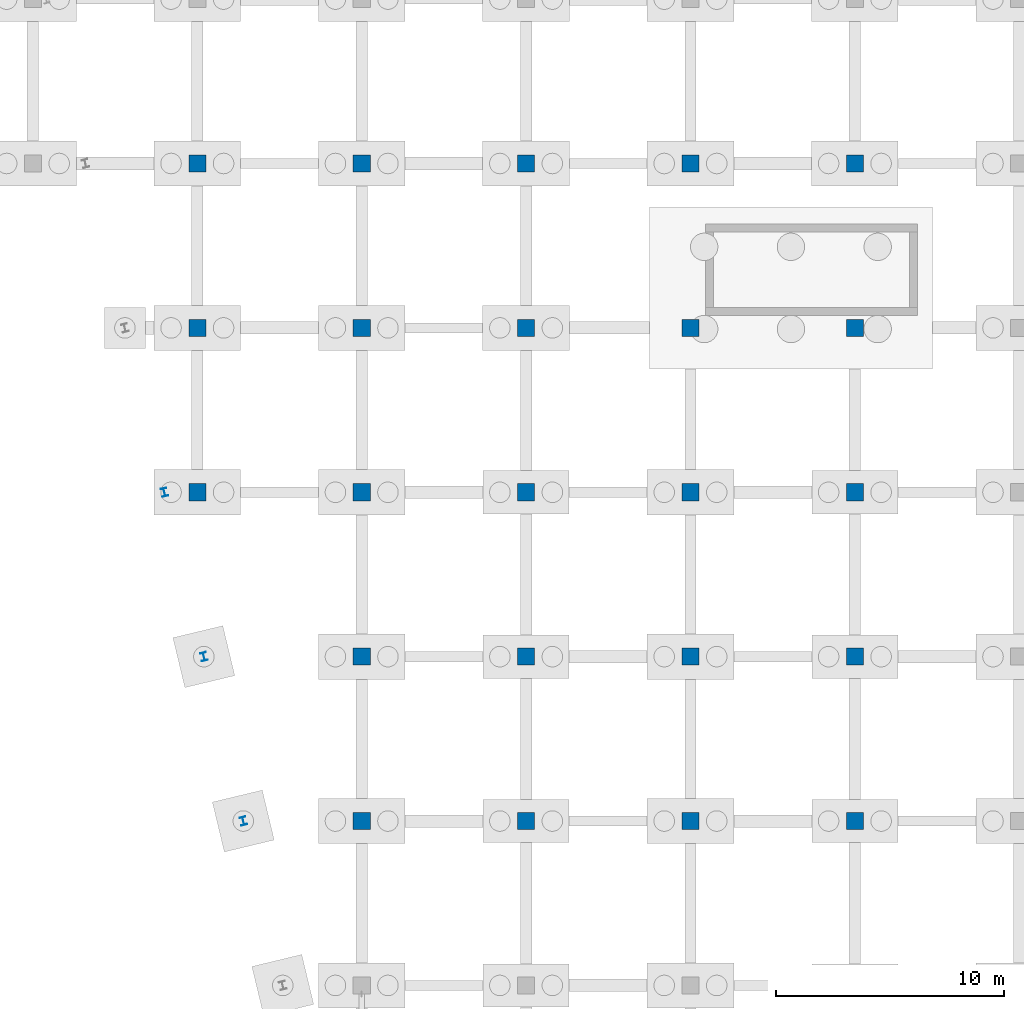
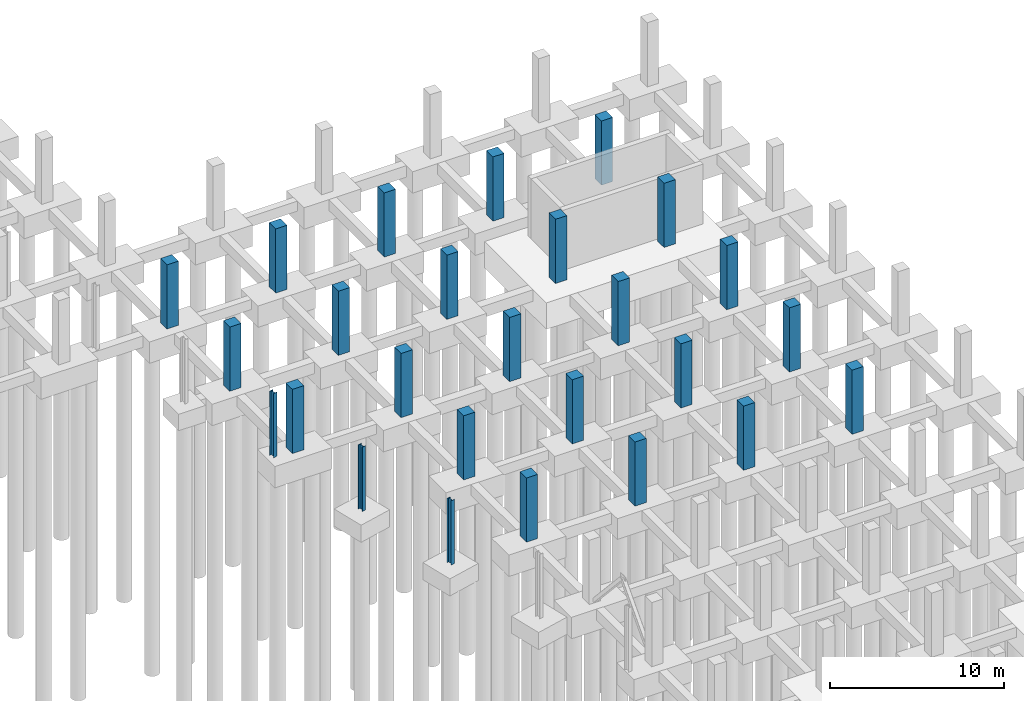
# One storey, part 21 of 36: 26 columns.
"""IFC4 building model written with IfcOpenShell, lengths in metres."""

from ifc_helpers import new_model, si_unit, direction, frame, origin, origin_2d, place, context, subcontext, project, spatial, rectangle, i_section, extrude, material, material_profile, profile_set, type_object, element, save


model = new_model("IFC4")

# Units and contexts
model_context = context("Model", 3, precision=1e-05, world=origin(), true_north=direction((0.0, 1.0)))
body_context = subcontext(model_context, "Body", "Model", "MODEL_VIEW")
ifc_project = project(units=[si_unit("LENGTHUNIT", "METRE"), si_unit("AREAUNIT", "SQUARE_METRE"), si_unit("VOLUMEUNIT", "CUBIC_METRE"), si_unit("PLANEANGLEUNIT", "RADIAN"), si_unit("MASSUNIT", "GRAM", prefix="KILO")], contexts=[model_context])

# Site, building, storey
site_placement = place(None, origin())
site = spatial("IfcSite", under=ifc_project, at=site_placement, CompositionType="ELEMENT")
building_placement = place(site_placement, origin())
building = spatial("IfcBuilding", under=site, at=building_placement, Name="Kalmorath City Hall", CompositionType="ELEMENT")
storey_placement = place(building_placement, frame((0.0, 0.0, -4.5)))
storey = spatial("IfcBuildingStorey", under=building, at=storey_placement, Name="B1", CompositionType="ELEMENT", Elevation=-4.5)

# Columns
ifc_material_1 = material(Name="Concrete C50/60", Category="concrete")
ifc_material_profile_1 = material_profile(ifc_material_1, rectangle(XDim=0.75, YDim=0.75, at=origin_2d()), Name="RC-COL-750X750")
ifc_profile_set_1 = profile_set([ifc_material_profile_1], Name="Concrete C50/60")
column_type_1 = type_object("IfcColumnType", Name="Concrete column 750x750", PredefinedType="COLUMN", material=ifc_profile_set_1)
for number, where, z_axis, x_axis, name in (
    (1, (129.60009765625, 79.199951171875, 0.0), (0.0, 0.0, 1.0), (1.0, 0.0, 0.0), "B1 column C3 (19/12)"),
    (2, (129.60009765625, 86.39990234375, 0.0), (0.0, 0.0, 1.0), (1.0, 0.0, 0.0), "B1 column C3 (19/13)"),
    (3, (129.60009765625, 93.60009765625, 0.0), (0.0, 0.0, 1.0), (1.0, 0.0, 0.0), "B1 column C3 (19/14)"),
    (4, (136.800048828125, 64.800048828125, 0.0), (0.0, 0.0, 1.0), (1.0, 0.0, 0.0), "B1 column C3 (20/10)"),
    (5, (136.800048828125, 72.0, 0.0), (0.0, 0.0, 1.0), (1.0, 0.0, 0.0), "B1 column C3 (20/11)"),
    (6, (136.800048828125, 79.199951171875, 0.0), (0.0, 0.0, 1.0), (1.0, 0.0, 0.0), "B1 column C3 (20/12)"),
    (7, (136.800048828125, 86.39990234375, 0.0), (0.0, 0.0, 1.0), (1.0, 0.0, 0.0), "B1 column C3 (20/13)"),
    (8, (136.800048828125, 93.60009765625, 0.0), (0.0, 0.0, 1.0), (1.0, 0.0, 0.0), "B1 column C3 (20/14)"),
    (9, (144.0, 64.800048828125, 0.0), (0.0, 0.0, 1.0), (1.0, 0.0, 0.0), "B1 column C3 (21/10)"),
    (10, (144.0, 72.0, 0.0), (0.0, 0.0, 1.0), (1.0, 0.0, 0.0), "B1 column C3 (21/11)"),
    (11, (144.0, 79.199951171875, 0.0), (0.0, 0.0, 1.0), (1.0, 0.0, 0.0), "B1 column C3 (21/12)"),
    (12, (144.0, 86.39990234375, 0.0), (0.0, 0.0, 1.0), (1.0, 0.0, 0.0), "B1 column C3 (21/13)"),
    (13, (144.0, 93.60009765625, 0.0), (0.0, 0.0, 1.0), (1.0, 0.0, 0.0), "B1 column C3 (21/14)"),
    (14, (151.199951171875, 64.800048828125, 0.0), (0.0, 0.0, 1.0), (1.0, 0.0, 0.0), "B1 column C3 (22/10)"),
    (15, (151.199951171875, 72.0, 0.0), (0.0, 0.0, 1.0), (1.0, 0.0, 0.0), "B1 column C3 (22/11)"),
    (16, (151.199951171875, 79.199951171875, 0.0), (0.0, 0.0, 1.0), (1.0, 0.0, 0.0), "B1 column C3 (22/12)"),
    (17, (151.199951171875, 86.39990234375, 0.0), (0.0, 0.0, 1.0), (1.0, 0.0, 0.0), "B1 column C3 (22/13)"),
    (18, (151.199951171875, 93.60009765625, 0.0), (0.0, 0.0, 1.0), (1.0, 0.0, 0.0), "B1 column C3 (22/14)"),
    (19, (158.39990234375, 64.800048828125, 0.0), (0.0, 0.0, 1.0), (1.0, 0.0, 0.0), "B1 column C3 (23/10)"),
    (20, (158.39990234375, 72.0, 0.0), (0.0, 0.0, 1.0), (1.0, 0.0, 0.0), "B1 column C3 (23/11)"),
    (21, (158.39990234375, 79.199951171875, 0.0), (0.0, 0.0, 1.0), (1.0, 0.0, 0.0), "B1 column C3 (23/12)"),
    (22, (158.39990234375, 86.39990234375, 0.0), (0.0, 0.0, 1.0), (1.0, 0.0, 0.0), "B1 column C3 (23/13)"),
    (23, (158.39990234375, 93.60009765625, 0.0), (0.0, 0.0, 1.0), (1.0, 0.0, 0.0), "B1 column C3 (23/14)"),
):
    element("IfcColumn", number, at=place(storey_placement, frame(where, z_axis=z_axis, x_axis=x_axis)), inside=storey, type_object=column_type_1, Name=name, PredefinedType="COLUMN", context=body_context, shape_type="SweptSolid", body=[
        extrude(rectangle(XDim=0.75, YDim=0.75, at=origin_2d()), origin(), (0.0, 0.0, 1.0), 4.5),
    ])
ifc_material_2 = material(Name="Steel ASTM A992 Grade 50", Category="steel")
ifc_material_profile_2 = material_profile(ifc_material_2, i_section(OverallWidth=0.256103515625, OverallDepth=0.360107421875, WebThickness=0.011474609375, FlangeThickness=0.02001953125, FilletRadius=0.014892578125, at=origin_2d()), Name="W14X74")
ifc_profile_set_2 = profile_set([ifc_material_profile_2], Name="Steel ASTM A992 Grade 50")
column_type_2 = type_object("IfcColumnType", Name="Steel wide-flange column W14X74", PredefinedType="COLUMN", material=ifc_profile_set_2)
for number, where, z_axis, x_axis, name in (
    (24, (131.6142578125, 64.800048828125, 0.0), (0.0, 0.0, 1.0), (0.972369920398, 0.233445363856, 0.0), "B1 library splay column SC4-4"),
    (25, (129.8857421875, 72.0, 0.0), (0.0, 0.0, 1.0), (0.972369920398, 0.233445363856, 0.0), "B1 library splay column SC4-5"),
    (26, (128.1572265625, 79.199951171875, 0.0), (0.0, 0.0, 1.0), (0.972369920398, 0.233445363856, 0.0), "B1 library splay column SC4-6"),
):
    element("IfcColumn", number, at=place(storey_placement, frame(where, z_axis=z_axis, x_axis=x_axis)), inside=storey, type_object=column_type_2, Name=name, PredefinedType="COLUMN", context=body_context, shape_type="SweptSolid", body=[
        extrude(i_section(OverallWidth=0.256103515625, OverallDepth=0.360107421875, WebThickness=0.011474609375, FlangeThickness=0.02001953125, FilletRadius=0.014892578125, at=origin_2d()), origin(), (0.0, 0.0, 1.0), 4.5),
    ])

save(model, "model.ifc")
